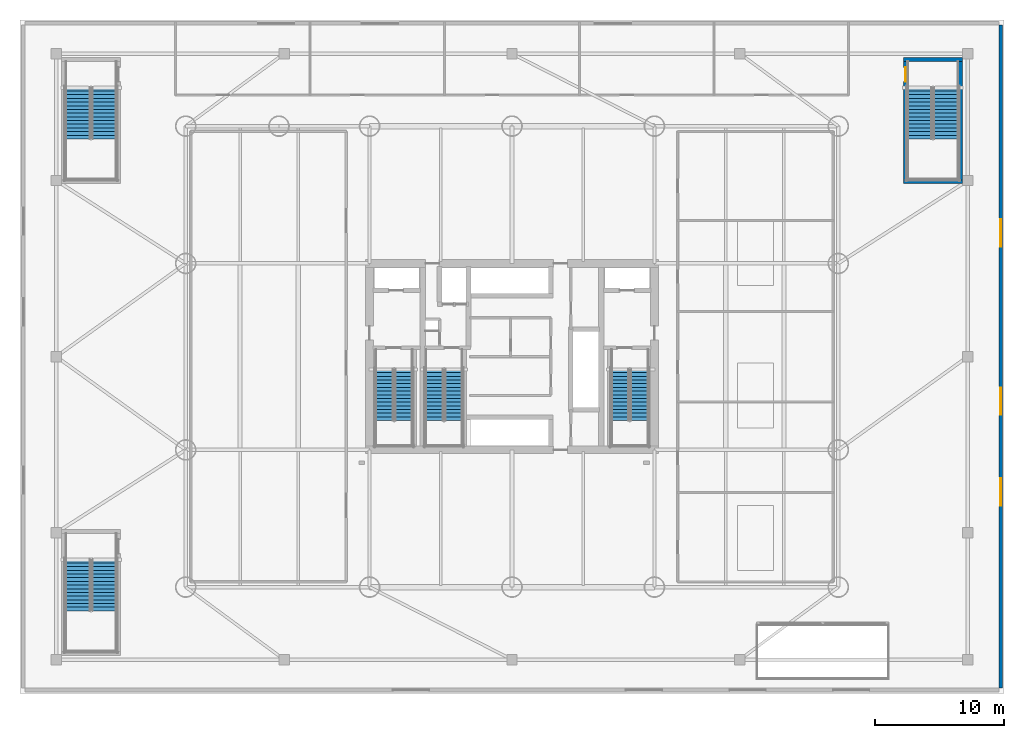
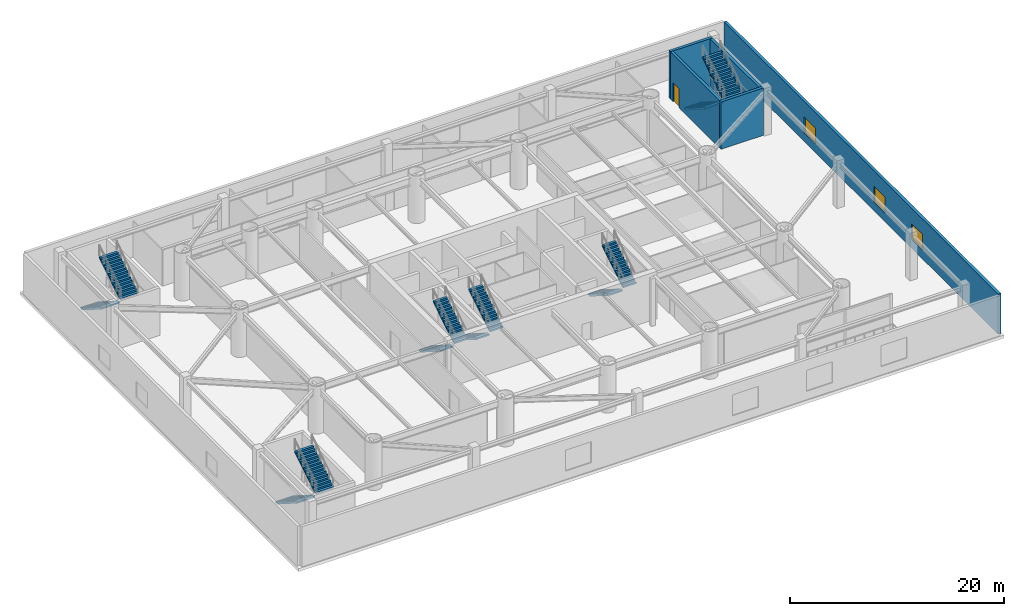
# One storey, part 9 of 16: 12 stair flights, 5 walls, 3 windows, 1 door, 4 openings, 6 elements without a shape of their own.
"""IFC4 building model written with IfcOpenShell, lengths in metres."""

from ifc_helpers import new_model, si_unit, direction, frame, frame_2d, origin, place, context, subcontext, project, spatial, polyline, rectangle, outline, extrude, material, layer, layer_set, type_object, element, fill, aggregate, save


model = new_model("IFC4")

# Units and contexts
model_context = context("Model", 3, precision=1e-05, world=origin(), true_north=direction((0.0, 1.0)))
body_context = subcontext(model_context, "Body", "Model", "MODEL_VIEW")
ifc_project = project(units=[si_unit("LENGTHUNIT", "METRE"), si_unit("AREAUNIT", "SQUARE_METRE"), si_unit("VOLUMEUNIT", "CUBIC_METRE"), si_unit("PLANEANGLEUNIT", "RADIAN"), si_unit("MASSUNIT", "GRAM", prefix="KILO")], contexts=[model_context])

# Site, building, storey
site_placement = place(None, origin())
site = spatial("IfcSite", under=ifc_project, at=site_placement, CompositionType="ELEMENT")
building_placement = place(site_placement, origin())
building = spatial("IfcBuilding", under=site, at=building_placement, Name="Bramvorn Convention Spire", CompositionType="ELEMENT")
storey_placement = place(building_placement, frame((0.0, 0.0, 18.60009765625)))
storey = spatial("IfcBuildingStorey", under=building, at=storey_placement, Name="L03", CompositionType="ELEMENT", Elevation=18.60009765625)

# Wall, openings, windows
ifc_material_1 = material(Name="Precast Concrete C40/50 with Bronze Terracotta Rainscreen", Category="masonry")
ifc_layer_1 = layer(ifc_material_1, 0.300048828125)
ifc_layer_set_1 = layer_set([ifc_layer_1], Name="Precast Concrete C40/50 with Bronze Terracotta Rainscreen - WL-EXT-BRONZE-300")
wall_type_1 = type_object("IfcWallType", Name="WL-EXT-BRONZE-300", PredefinedType="SOLIDWALL", material=ifc_layer_set_1)
wall_1_placement = place(storey_placement, frame((75.75, 51.60009765625, 0.0), z_axis=(0.0, 0.0, 1.0), x_axis=(0.0, -1.0, 0.0)))
wall_1 = element("IfcWall", 1, at=wall_1_placement, inside=storey, type_object=wall_type_1, Name="L03 East podium bronze facade wall", PredefinedType="SOLIDWALL", context=body_context, shape_type="SweptSolid", body=[
    extrude(rectangle(XDim=51.2001953125, YDim=0.300048828125, at=frame_2d((25.60009765625, 0.0))), origin(), (0.0, 0.0, 1.0), 4.559814453125),
])
opening_1_placement = place(wall_1_placement, frame((15.0, 0.0, 1.0)))
opening_1 = element("IfcOpeningElement", 2, at=opening_1_placement, cuts=wall_1, Name="Opening WN04", PredefinedType="OPENING", context=body_context, shape_type="SweptSolid", body=[
    extrude(rectangle(XDim=2.10009765625, YDim=1.800048828125, at=frame_2d((1.050048828125, 0.89990234375))), frame((0.0, 0.159912109375, 0.0), z_axis=(0.0, -1.0, 0.0), x_axis=(1.0, 0.0, 0.0)), (0.0, 0.0, 1.0), 0.320068359375),
])
opening_2_placement = place(wall_1_placement, frame((28.0, 0.0, 1.0)))
opening_2 = element("IfcOpeningElement", 3, at=opening_2_placement, cuts=wall_1, Name="Opening WN04", PredefinedType="OPENING", context=body_context, shape_type="SweptSolid", body=[
    extrude(rectangle(XDim=2.10009765625, YDim=1.800048828125, at=frame_2d((1.050048828125, 0.89990234375))), frame((0.0, 0.159912109375, 0.0), z_axis=(0.0, -1.0, 0.0), x_axis=(1.0, 0.0, 0.0)), (0.0, 0.0, 1.0), 0.320068359375),
])
opening_3_placement = place(wall_1_placement, frame((35.0, 0.0, 1.0)))
opening_3 = element("IfcOpeningElement", 4, at=opening_3_placement, cuts=wall_1, Name="Opening WN04", PredefinedType="OPENING", context=body_context, shape_type="SweptSolid", body=[
    extrude(rectangle(XDim=2.10009765625, YDim=1.800048828125, at=frame_2d((1.050048828125, 0.89990234375))), frame((0.0, 0.159912109375, 0.0), z_axis=(0.0, -1.0, 0.0), x_axis=(1.0, 0.0, 0.0)), (0.0, 0.0, 1.0), 0.320068359375),
])
ifc_material_2 = material(Name="Thermally Broken Bronze Aluminium & Triple Low-E Glass", Category="aluminium")
window_type = type_object("IfcWindowType", Name="WN-OP-2100X1800", PartitioningType="SINGLE_PANEL", PredefinedType="WINDOW", material=ifc_material_2)
window_1_placement = place(opening_1_placement, origin())
window_1 = element("IfcWindow", 5, at=window_1_placement, inside=storey, type_object=window_type, Name="L03 East operable window 1", OverallHeight=1.800048828125, OverallWidth=2.10009765625, PartitioningType="SINGLE_PANEL", PredefinedType="WINDOW", context=body_context, shape_type="SweptSolid", body=[
    extrude(rectangle(XDim=2.10009765625, YDim=1.800048828125, at=frame_2d((1.050048828125, 0.89990234375))), frame((0.0, 0.030029296875, 0.0), z_axis=(0.0, -1.0, 0.0), x_axis=(1.0, 0.0, 0.0)), (0.0, 0.0, 1.0), 0.06005859375),
])
fill(opening_1, window_1)
window_2_placement = place(opening_2_placement, origin())
window_2 = element("IfcWindow", 6, at=window_2_placement, inside=storey, type_object=window_type, Name="L03 East operable window 2", OverallHeight=1.800048828125, OverallWidth=2.10009765625, PartitioningType="SINGLE_PANEL", PredefinedType="WINDOW", context=body_context, shape_type="SweptSolid", body=[
    extrude(rectangle(XDim=2.10009765625, YDim=1.800048828125, at=frame_2d((1.050048828125, 0.89990234375))), frame((0.0, 0.030029296875, 0.0), z_axis=(0.0, -1.0, 0.0), x_axis=(1.0, 0.0, 0.0)), (0.0, 0.0, 1.0), 0.06005859375),
])
fill(opening_2, window_2)
window_3_placement = place(opening_3_placement, origin())
window_3 = element("IfcWindow", 7, at=window_3_placement, inside=storey, type_object=window_type, Name="L03 East operable window 3", OverallHeight=1.800048828125, OverallWidth=2.10009765625, PartitioningType="SINGLE_PANEL", PredefinedType="WINDOW", context=body_context, shape_type="SweptSolid", body=[
    extrude(rectangle(XDim=2.10009765625, YDim=1.800048828125, at=frame_2d((1.050048828125, 0.89990234375))), frame((0.0, 0.030029296875, 0.0), z_axis=(0.0, -1.0, 0.0), x_axis=(1.0, 0.0, 0.0)), (0.0, 0.0, 1.0), 0.06005859375),
])
fill(opening_3, window_3)

# Walls
ifc_material_3 = material(Name="Concrete C50/60", Category="concrete")
ifc_layer_2 = layer(ifc_material_3, 0.300048828125)
ifc_layer_set_2 = layer_set([ifc_layer_2], Name="Concrete C50/60 - WL-POD-STAIR-300")
wall_type_2 = type_object("IfcWallType", Name="WL-POD-STAIR-300", PredefinedType="SHEAR", material=ifc_layer_set_2)
for number, where, z_axis, x_axis, name in (
    (8, (68.22998046875, 39.510009765625, 0.0), (0.0, 0.0, 1.0), (1.0, 0.0, 0.0), "L03 ST5 south shaft wall"),
    (9, (68.22998046875, 48.93994140625, 0.0), (0.0, 0.0, 1.0), (1.0, 0.0, 0.0), "L03 ST5 north shaft wall"),
):
    element("IfcWall", number, at=place(storey_placement, frame(where, z_axis=z_axis, x_axis=x_axis)), inside=storey, type_object=wall_type_2, Name=name, PredefinedType="SHEAR", context=body_context, shape_type="SweptSolid", body=[
        extrude(rectangle(XDim=4.56005859375, YDim=0.300048828125, at=frame_2d((2.280029296875, 0.0))), origin(), (0.0, 0.0, 1.0), 5.39990234375),
    ])

# Wall, opening, door
wall_2_placement = place(storey_placement, frame((68.3798828125, 39.659912109375, 0.0), z_axis=(0.0, 0.0, 1.0), x_axis=(0.0, 1.0, 0.0)))
wall_2 = element("IfcWall", 10, at=wall_2_placement, inside=storey, type_object=wall_type_2, Name="L03 ST5 west shaft wall", PredefinedType="SHEAR", context=body_context, shape_type="SweptSolid", body=[
    extrude(rectangle(XDim=9.130126953125, YDim=0.300048828125, at=frame_2d((4.56494140625, 0.0))), origin(), (0.0, 0.0, 1.0), 5.39990234375),
])
opening_4_placement = place(wall_2_placement, frame((7.580078125, 0.0, 0.0)))
opening_4 = element("IfcOpeningElement", 11, at=opening_4_placement, cuts=wall_2, Name="Opening DS-110", PredefinedType="OPENING", context=body_context, shape_type="SweptSolid", body=[
    extrude(rectangle(XDim=1.10009765625, YDim=2.14990234375, at=frame_2d((0.550048828125, 1.074951171875))), frame((0.0, 0.159912109375, 0.0), z_axis=(0.0, -1.0, 0.0), x_axis=(1.0, 0.0, 0.0)), (0.0, 0.0, 1.0), 0.320068359375),
])
ifc_material_4 = material(Name="Fire-Rated Hollow Steel Stairwell Door", Category="steel")
door_type = type_object("IfcDoorType", Name="DR-STAIR-1100", OperationType="NOTDEFINED", PredefinedType="DOOR", material=ifc_material_4)
door_placement = place(opening_4_placement, origin())
door = element("IfcDoor", 12, at=door_placement, inside=storey, type_object=door_type, Name="L03 ST5 exit stairwell door", OperationType="SINGLE_SWING_LEFT", OverallHeight=2.14990234375, OverallWidth=1.10009765625, PredefinedType="DOOR", context=body_context, shape_type="SweptSolid", body=[
    extrude(rectangle(XDim=1.10009765625, YDim=2.14990234375, at=frame_2d((0.550048828125, 1.074951171875))), frame((0.0, 0.02490234375, 0.0), z_axis=(0.0, -1.0, 0.0), x_axis=(1.0, 0.0, 0.0)), (0.0, 0.0, 1.0), 0.050048828125),
])
fill(opening_4, door)

# Wall
wall_3_placement = place(storey_placement, frame((72.639892578125, 48.7900390625, 0.0), z_axis=(0.0, 0.0, 1.0), x_axis=(0.0, -1.0, 0.0)))
element("IfcWall", 13, at=wall_3_placement, inside=storey, type_object=wall_type_2, Name="L03 ST5 east shaft wall", PredefinedType="SHEAR", context=body_context, shape_type="SweptSolid", body=[
    extrude(rectangle(XDim=9.130126953125, YDim=0.300048828125, at=frame_2d((4.56494140625, 0.0))), origin(), (0.0, 0.0, 1.0), 5.39990234375),
])

# Stair, stair flights
ifc_material_5 = material(Name="Concrete C40/50 Grand Exit Stair", Category="concrete")
stair_type_1 = type_object("IfcStairType", Name="ST-PODIUM-1950", PredefinedType="HALF_TURN_STAIR", material=ifc_material_5)
stair_1_placement = place(storey_placement, origin())
stair_1 = element("IfcStair", 14, at=stair_1_placement, inside=storey, type_object=stair_type_1, Name="L03 Protected Exit Stair ST4", PredefinedType="HALF_TURN_STAIR")
ifc_material_6 = material(Name="Concrete C40/50 Precast Stair Flight", Category="concrete")
stair_flight_type_1 = type_object("IfcStairFlightType", Name="STF-PODIUM-1950", PredefinedType="STRAIGHT", material=ifc_material_6)
stair_flight_1_placement = place(storey_placement, frame((4.47509765625, 10.35009765625, 0.0), z_axis=(0.0, 0.0, 1.0), x_axis=(0.0, -1.0, 0.0)))
stair_flight_1 = element("IfcStairFlight", 15, at=stair_flight_1_placement, type_object=stair_flight_type_1, Name="ST4 flight 1", NumberOfRisers=15, NumberOfTreads=14, PredefinedType="STRAIGHT", RiserHeight=0.18, TreadLength=0.285, context=body_context, shape_type="SweptSolid", body=[
    extrude(outline(polyline([(0.0, 0.0), (0.0, 0.179931640625), (0.284912109375, 0.179931640625), (0.284912109375, 0.360107421875), (0.570068359375, 0.360107421875), (0.570068359375, 0.5400390625), (0.85498046875, 0.5400390625), (0.85498046875, 0.719970703125), (1.139892578125, 0.719970703125), (1.139892578125, 0.89990234375), (1.425048828125, 0.89990234375), (1.425048828125, 1.080078125), (1.7099609375, 1.080078125), (1.7099609375, 1.260009765625), (1.9951171875, 1.260009765625), (1.9951171875, 1.43994140625), (2.280029296875, 1.43994140625), (2.280029296875, 1.6201171875), (2.56494140625, 1.6201171875), (2.56494140625, 1.800048828125), (2.85009765625, 1.800048828125), (2.85009765625, 1.97998046875), (3.135009765625, 1.97998046875), (3.135009765625, 2.159912109375), (3.419921875, 2.159912109375), (3.419921875, 2.340087890625), (3.705078125, 2.340087890625), (3.705078125, 2.52001953125), (3.989990234375, 2.52001953125), (3.989990234375, 2.699951171875), (3.989990234375, 2.3427734375), (0.28076171875, 0.0), (0.0, 0.0)])), frame((0.0, 0.97509765625, 0.0), z_axis=(0.0, -1.0, 0.0), x_axis=(1.0, 0.0, 0.0)), (0.0, 0.0, 1.0), 1.949951171875),
])
stair_flight_2_placement = place(storey_placement, frame((6.5048828125, 6.360107421875, 2.699951171875), z_axis=(0.0, 0.0, 1.0), x_axis=(0.0, 1.0, 0.0)))
stair_flight_2 = element("IfcStairFlight", 16, at=stair_flight_2_placement, type_object=stair_flight_type_1, Name="ST4 flight 2", NumberOfRisers=15, NumberOfTreads=14, PredefinedType="STRAIGHT", RiserHeight=0.18, TreadLength=0.285, context=body_context, shape_type="SweptSolid", body=[
    extrude(outline(polyline([(0.0, 0.0), (0.0, 0.179931640625), (0.284912109375, 0.179931640625), (0.284912109375, 0.360107421875), (0.570068359375, 0.360107421875), (0.570068359375, 0.5400390625), (0.85498046875, 0.5400390625), (0.85498046875, 0.719970703125), (1.139892578125, 0.719970703125), (1.139892578125, 0.89990234375), (1.425048828125, 0.89990234375), (1.425048828125, 1.080078125), (1.7099609375, 1.080078125), (1.7099609375, 1.260009765625), (1.9951171875, 1.260009765625), (1.9951171875, 1.43994140625), (2.280029296875, 1.43994140625), (2.280029296875, 1.6201171875), (2.56494140625, 1.6201171875), (2.56494140625, 1.800048828125), (2.85009765625, 1.800048828125), (2.85009765625, 1.97998046875), (3.135009765625, 1.97998046875), (3.135009765625, 2.159912109375), (3.419921875, 2.159912109375), (3.419921875, 2.340087890625), (3.705078125, 2.340087890625), (3.705078125, 2.52001953125), (3.989990234375, 2.52001953125), (3.989990234375, 2.699951171875), (3.989990234375, 2.3427734375), (0.28076171875, 0.0), (0.0, 0.0)])), frame((0.0, 0.97509765625, 0.0), z_axis=(0.0, -1.0, 0.0), x_axis=(1.0, 0.0, 0.0)), (0.0, 0.0, 1.0), 1.949951171875),
])
aggregate(stair_1, [stair_flight_1, stair_flight_2])

stair_2_placement = place(storey_placement, origin())
stair_2 = element("IfcStair", 17, at=stair_2_placement, inside=storey, type_object=stair_type_1, Name="L03 Protected Exit Stair ST5", PredefinedType="HALF_TURN_STAIR")
stair_flight_3_placement = place(storey_placement, frame((69.4951171875, 46.800048828125, 0.0), z_axis=(0.0, 0.0, 1.0), x_axis=(0.0, -1.0, 0.0)))
stair_flight_3 = element("IfcStairFlight", 18, at=stair_flight_3_placement, type_object=stair_flight_type_1, Name="ST5 flight 1", NumberOfRisers=15, NumberOfTreads=14, PredefinedType="STRAIGHT", RiserHeight=0.18, TreadLength=0.285, context=body_context, shape_type="SweptSolid", body=[
    extrude(outline(polyline([(0.0, 0.0), (0.0, 0.179931640625), (0.284912109375, 0.179931640625), (0.284912109375, 0.360107421875), (0.570068359375, 0.360107421875), (0.570068359375, 0.5400390625), (0.85498046875, 0.5400390625), (0.85498046875, 0.719970703125), (1.139892578125, 0.719970703125), (1.139892578125, 0.89990234375), (1.425048828125, 0.89990234375), (1.425048828125, 1.080078125), (1.7099609375, 1.080078125), (1.7099609375, 1.260009765625), (1.9951171875, 1.260009765625), (1.9951171875, 1.43994140625), (2.280029296875, 1.43994140625), (2.280029296875, 1.6201171875), (2.56494140625, 1.6201171875), (2.56494140625, 1.800048828125), (2.85009765625, 1.800048828125), (2.85009765625, 1.97998046875), (3.135009765625, 1.97998046875), (3.135009765625, 2.159912109375), (3.419921875, 2.159912109375), (3.419921875, 2.340087890625), (3.705078125, 2.340087890625), (3.705078125, 2.52001953125), (3.989990234375, 2.52001953125), (3.989990234375, 2.699951171875), (3.989990234375, 2.3427734375), (0.28076171875, 0.0), (0.0, 0.0)])), frame((0.0, 0.97509765625, 0.0), z_axis=(0.0, -1.0, 0.0), x_axis=(1.0, 0.0, 0.0)), (0.0, 0.0, 1.0), 1.949951171875),
])
stair_flight_4_placement = place(storey_placement, frame((71.52490234375, 42.81005859375, 2.699951171875), z_axis=(0.0, 0.0, 1.0), x_axis=(0.0, 1.0, 0.0)))
stair_flight_4 = element("IfcStairFlight", 19, at=stair_flight_4_placement, type_object=stair_flight_type_1, Name="ST5 flight 2", NumberOfRisers=15, NumberOfTreads=14, PredefinedType="STRAIGHT", RiserHeight=0.18, TreadLength=0.285, context=body_context, shape_type="SweptSolid", body=[
    extrude(outline(polyline([(0.0, 0.0), (0.0, 0.179931640625), (0.284912109375, 0.179931640625), (0.284912109375, 0.360107421875), (0.570068359375, 0.360107421875), (0.570068359375, 0.5400390625), (0.85498046875, 0.5400390625), (0.85498046875, 0.719970703125), (1.139892578125, 0.719970703125), (1.139892578125, 0.89990234375), (1.425048828125, 0.89990234375), (1.425048828125, 1.080078125), (1.7099609375, 1.080078125), (1.7099609375, 1.260009765625), (1.9951171875, 1.260009765625), (1.9951171875, 1.43994140625), (2.280029296875, 1.43994140625), (2.280029296875, 1.6201171875), (2.56494140625, 1.6201171875), (2.56494140625, 1.800048828125), (2.85009765625, 1.800048828125), (2.85009765625, 1.97998046875), (3.135009765625, 1.97998046875), (3.135009765625, 2.159912109375), (3.419921875, 2.159912109375), (3.419921875, 2.340087890625), (3.705078125, 2.340087890625), (3.705078125, 2.52001953125), (3.989990234375, 2.52001953125), (3.989990234375, 2.699951171875), (3.989990234375, 2.3427734375), (0.28076171875, 0.0), (0.0, 0.0)])), frame((0.0, 0.97509765625, 0.0), z_axis=(0.0, -1.0, 0.0), x_axis=(1.0, 0.0, 0.0)), (0.0, 0.0, 1.0), 1.949951171875),
])
aggregate(stair_2, [stair_flight_3, stair_flight_4])

stair_3_placement = place(storey_placement, origin())
stair_3 = element("IfcStair", 20, at=stair_3_placement, inside=storey, type_object=stair_type_1, Name="L03 Protected Exit Stair ST6", PredefinedType="HALF_TURN_STAIR")
stair_flight_5_placement = place(storey_placement, frame((4.47509765625, 46.800048828125, 0.0), z_axis=(0.0, 0.0, 1.0), x_axis=(0.0, -1.0, 0.0)))
stair_flight_5 = element("IfcStairFlight", 21, at=stair_flight_5_placement, type_object=stair_flight_type_1, Name="ST6 flight 1", NumberOfRisers=15, NumberOfTreads=14, PredefinedType="STRAIGHT", RiserHeight=0.18, TreadLength=0.285, context=body_context, shape_type="SweptSolid", body=[
    extrude(outline(polyline([(0.0, 0.0), (0.0, 0.179931640625), (0.284912109375, 0.179931640625), (0.284912109375, 0.360107421875), (0.570068359375, 0.360107421875), (0.570068359375, 0.5400390625), (0.85498046875, 0.5400390625), (0.85498046875, 0.719970703125), (1.139892578125, 0.719970703125), (1.139892578125, 0.89990234375), (1.425048828125, 0.89990234375), (1.425048828125, 1.080078125), (1.7099609375, 1.080078125), (1.7099609375, 1.260009765625), (1.9951171875, 1.260009765625), (1.9951171875, 1.43994140625), (2.280029296875, 1.43994140625), (2.280029296875, 1.6201171875), (2.56494140625, 1.6201171875), (2.56494140625, 1.800048828125), (2.85009765625, 1.800048828125), (2.85009765625, 1.97998046875), (3.135009765625, 1.97998046875), (3.135009765625, 2.159912109375), (3.419921875, 2.159912109375), (3.419921875, 2.340087890625), (3.705078125, 2.340087890625), (3.705078125, 2.52001953125), (3.989990234375, 2.52001953125), (3.989990234375, 2.699951171875), (3.989990234375, 2.3427734375), (0.28076171875, 0.0), (0.0, 0.0)])), frame((0.0, 0.97509765625, 0.0), z_axis=(0.0, -1.0, 0.0), x_axis=(1.0, 0.0, 0.0)), (0.0, 0.0, 1.0), 1.949951171875),
])
stair_flight_6_placement = place(storey_placement, frame((6.5048828125, 42.81005859375, 2.699951171875), z_axis=(0.0, 0.0, 1.0), x_axis=(0.0, 1.0, 0.0)))
stair_flight_6 = element("IfcStairFlight", 22, at=stair_flight_6_placement, type_object=stair_flight_type_1, Name="ST6 flight 2", NumberOfRisers=15, NumberOfTreads=14, PredefinedType="STRAIGHT", RiserHeight=0.18, TreadLength=0.285, context=body_context, shape_type="SweptSolid", body=[
    extrude(outline(polyline([(0.0, 0.0), (0.0, 0.179931640625), (0.284912109375, 0.179931640625), (0.284912109375, 0.360107421875), (0.570068359375, 0.360107421875), (0.570068359375, 0.5400390625), (0.85498046875, 0.5400390625), (0.85498046875, 0.719970703125), (1.139892578125, 0.719970703125), (1.139892578125, 0.89990234375), (1.425048828125, 0.89990234375), (1.425048828125, 1.080078125), (1.7099609375, 1.080078125), (1.7099609375, 1.260009765625), (1.9951171875, 1.260009765625), (1.9951171875, 1.43994140625), (2.280029296875, 1.43994140625), (2.280029296875, 1.6201171875), (2.56494140625, 1.6201171875), (2.56494140625, 1.800048828125), (2.85009765625, 1.800048828125), (2.85009765625, 1.97998046875), (3.135009765625, 1.97998046875), (3.135009765625, 2.159912109375), (3.419921875, 2.159912109375), (3.419921875, 2.340087890625), (3.705078125, 2.340087890625), (3.705078125, 2.52001953125), (3.989990234375, 2.52001953125), (3.989990234375, 2.699951171875), (3.989990234375, 2.3427734375), (0.28076171875, 0.0), (0.0, 0.0)])), frame((0.0, 0.97509765625, 0.0), z_axis=(0.0, -1.0, 0.0), x_axis=(1.0, 0.0, 0.0)), (0.0, 0.0, 1.0), 1.949951171875),
])
aggregate(stair_3, [stair_flight_5, stair_flight_6])

ifc_material_7 = material(Name="Concrete C40/50 Precast Stair", Category="concrete")
stair_type_2 = type_object("IfcStairType", Name="ST-TOWER-1550", PredefinedType="HALF_TURN_STAIR", material=ifc_material_7)
stair_4_placement = place(storey_placement, origin())
stair_4 = element("IfcStair", 23, at=stair_4_placement, inside=storey, type_object=stair_type_2, Name="L03 Protected Exit Stair ST1", PredefinedType="HALF_TURN_STAIR")
stair_flight_type_2 = type_object("IfcStairFlightType", Name="STF-TOWER-1550", PredefinedType="STRAIGHT", material=ifc_material_6)
stair_flight_7_placement = place(storey_placement, frame((28.155029296875, 25.050048828125, 0.0), z_axis=(0.0, 0.0, 1.0), x_axis=(0.0, -1.0, 0.0)))
stair_flight_7 = element("IfcStairFlight", 24, at=stair_flight_7_placement, type_object=stair_flight_type_2, Name="ST1 flight 1", NumberOfRisers=15, NumberOfTreads=14, PredefinedType="STRAIGHT", RiserHeight=0.18, TreadLength=0.285, context=body_context, shape_type="SweptSolid", body=[
    extrude(outline(polyline([(0.0, 0.0), (0.0, 0.179931640625), (0.284912109375, 0.179931640625), (0.284912109375, 0.360107421875), (0.570068359375, 0.360107421875), (0.570068359375, 0.5400390625), (0.85498046875, 0.5400390625), (0.85498046875, 0.719970703125), (1.139892578125, 0.719970703125), (1.139892578125, 0.89990234375), (1.425048828125, 0.89990234375), (1.425048828125, 1.080078125), (1.7099609375, 1.080078125), (1.7099609375, 1.260009765625), (1.9951171875, 1.260009765625), (1.9951171875, 1.43994140625), (2.280029296875, 1.43994140625), (2.280029296875, 1.6201171875), (2.56494140625, 1.6201171875), (2.56494140625, 1.800048828125), (2.85009765625, 1.800048828125), (2.85009765625, 1.97998046875), (3.135009765625, 1.97998046875), (3.135009765625, 2.159912109375), (3.419921875, 2.159912109375), (3.419921875, 2.340087890625), (3.705078125, 2.340087890625), (3.705078125, 2.52001953125), (3.989990234375, 2.52001953125), (3.989990234375, 2.699951171875), (3.989990234375, 2.3427734375), (0.28076171875, 0.0), (0.0, 0.0)])), frame((0.0, 0.705078125, 0.0), z_axis=(0.0, -1.0, 0.0), x_axis=(1.0, 0.0, 0.0)), (0.0, 0.0, 1.0), 1.409912109375),
])
stair_flight_8_placement = place(storey_placement, frame((29.64501953125, 21.06005859375, 2.699951171875), z_axis=(0.0, 0.0, 1.0), x_axis=(0.0, 1.0, 0.0)))
stair_flight_8 = element("IfcStairFlight", 25, at=stair_flight_8_placement, type_object=stair_flight_type_2, Name="ST1 flight 2", NumberOfRisers=15, NumberOfTreads=14, PredefinedType="STRAIGHT", RiserHeight=0.18, TreadLength=0.285, context=body_context, shape_type="SweptSolid", body=[
    extrude(outline(polyline([(0.0, 0.0), (0.0, 0.179931640625), (0.284912109375, 0.179931640625), (0.284912109375, 0.360107421875), (0.570068359375, 0.360107421875), (0.570068359375, 0.5400390625), (0.85498046875, 0.5400390625), (0.85498046875, 0.719970703125), (1.139892578125, 0.719970703125), (1.139892578125, 0.89990234375), (1.425048828125, 0.89990234375), (1.425048828125, 1.080078125), (1.7099609375, 1.080078125), (1.7099609375, 1.260009765625), (1.9951171875, 1.260009765625), (1.9951171875, 1.43994140625), (2.280029296875, 1.43994140625), (2.280029296875, 1.6201171875), (2.56494140625, 1.6201171875), (2.56494140625, 1.800048828125), (2.85009765625, 1.800048828125), (2.85009765625, 1.97998046875), (3.135009765625, 1.97998046875), (3.135009765625, 2.159912109375), (3.419921875, 2.159912109375), (3.419921875, 2.340087890625), (3.705078125, 2.340087890625), (3.705078125, 2.52001953125), (3.989990234375, 2.52001953125), (3.989990234375, 2.699951171875), (3.989990234375, 2.3427734375), (0.28076171875, 0.0), (0.0, 0.0)])), frame((0.0, 0.705078125, 0.0), z_axis=(0.0, -1.0, 0.0), x_axis=(1.0, 0.0, 0.0)), (0.0, 0.0, 1.0), 1.409912109375),
])
aggregate(stair_4, [stair_flight_7, stair_flight_8])

stair_5_placement = place(storey_placement, origin())
stair_5 = element("IfcStair", 26, at=stair_5_placement, inside=storey, type_object=stair_type_2, Name="L03 Protected Exit Stair ST2", PredefinedType="HALF_TURN_STAIR")
stair_flight_9_placement = place(storey_placement, frame((46.35498046875, 25.050048828125, 0.0), z_axis=(0.0, 0.0, 1.0), x_axis=(0.0, -1.0, 0.0)))
stair_flight_9 = element("IfcStairFlight", 27, at=stair_flight_9_placement, type_object=stair_flight_type_2, Name="ST2 flight 1", NumberOfRisers=15, NumberOfTreads=14, PredefinedType="STRAIGHT", RiserHeight=0.18, TreadLength=0.285, context=body_context, shape_type="SweptSolid", body=[
    extrude(outline(polyline([(0.0, 0.0), (0.0, 0.179931640625), (0.284912109375, 0.179931640625), (0.284912109375, 0.360107421875), (0.570068359375, 0.360107421875), (0.570068359375, 0.5400390625), (0.85498046875, 0.5400390625), (0.85498046875, 0.719970703125), (1.139892578125, 0.719970703125), (1.139892578125, 0.89990234375), (1.425048828125, 0.89990234375), (1.425048828125, 1.080078125), (1.7099609375, 1.080078125), (1.7099609375, 1.260009765625), (1.9951171875, 1.260009765625), (1.9951171875, 1.43994140625), (2.280029296875, 1.43994140625), (2.280029296875, 1.6201171875), (2.56494140625, 1.6201171875), (2.56494140625, 1.800048828125), (2.85009765625, 1.800048828125), (2.85009765625, 1.97998046875), (3.135009765625, 1.97998046875), (3.135009765625, 2.159912109375), (3.419921875, 2.159912109375), (3.419921875, 2.340087890625), (3.705078125, 2.340087890625), (3.705078125, 2.52001953125), (3.989990234375, 2.52001953125), (3.989990234375, 2.699951171875), (3.989990234375, 2.3427734375), (0.28076171875, 0.0), (0.0, 0.0)])), frame((0.0, 0.705078125, 0.0), z_axis=(0.0, -1.0, 0.0), x_axis=(1.0, 0.0, 0.0)), (0.0, 0.0, 1.0), 1.409912109375),
])
stair_flight_10_placement = place(storey_placement, frame((47.844970703125, 21.06005859375, 2.699951171875), z_axis=(0.0, 0.0, 1.0), x_axis=(0.0, 1.0, 0.0)))
stair_flight_10 = element("IfcStairFlight", 28, at=stair_flight_10_placement, type_object=stair_flight_type_2, Name="ST2 flight 2", NumberOfRisers=15, NumberOfTreads=14, PredefinedType="STRAIGHT", RiserHeight=0.18, TreadLength=0.285, context=body_context, shape_type="SweptSolid", body=[
    extrude(outline(polyline([(0.0, 0.0), (0.0, 0.179931640625), (0.284912109375, 0.179931640625), (0.284912109375, 0.360107421875), (0.570068359375, 0.360107421875), (0.570068359375, 0.5400390625), (0.85498046875, 0.5400390625), (0.85498046875, 0.719970703125), (1.139892578125, 0.719970703125), (1.139892578125, 0.89990234375), (1.425048828125, 0.89990234375), (1.425048828125, 1.080078125), (1.7099609375, 1.080078125), (1.7099609375, 1.260009765625), (1.9951171875, 1.260009765625), (1.9951171875, 1.43994140625), (2.280029296875, 1.43994140625), (2.280029296875, 1.6201171875), (2.56494140625, 1.6201171875), (2.56494140625, 1.800048828125), (2.85009765625, 1.800048828125), (2.85009765625, 1.97998046875), (3.135009765625, 1.97998046875), (3.135009765625, 2.159912109375), (3.419921875, 2.159912109375), (3.419921875, 2.340087890625), (3.705078125, 2.340087890625), (3.705078125, 2.52001953125), (3.989990234375, 2.52001953125), (3.989990234375, 2.699951171875), (3.989990234375, 2.3427734375), (0.28076171875, 0.0), (0.0, 0.0)])), frame((0.0, 0.705078125, 0.0), z_axis=(0.0, -1.0, 0.0), x_axis=(1.0, 0.0, 0.0)), (0.0, 0.0, 1.0), 1.409912109375),
])
aggregate(stair_5, [stair_flight_9, stair_flight_10])

stair_6_placement = place(storey_placement, origin())
stair_6 = element("IfcStair", 29, at=stair_6_placement, inside=storey, type_object=stair_type_2, Name="L03 Protected Exit Stair ST3", PredefinedType="HALF_TURN_STAIR")
stair_flight_11_placement = place(storey_placement, frame((32.0048828125, 25.050048828125, 0.0), z_axis=(0.0, 0.0, 1.0), x_axis=(0.0, -1.0, 0.0)))
stair_flight_11 = element("IfcStairFlight", 30, at=stair_flight_11_placement, type_object=stair_flight_type_2, Name="ST3 flight 1", NumberOfRisers=15, NumberOfTreads=14, PredefinedType="STRAIGHT", RiserHeight=0.18, TreadLength=0.285, context=body_context, shape_type="SweptSolid", body=[
    extrude(outline(polyline([(0.0, 0.0), (0.0, 0.179931640625), (0.284912109375, 0.179931640625), (0.284912109375, 0.360107421875), (0.570068359375, 0.360107421875), (0.570068359375, 0.5400390625), (0.85498046875, 0.5400390625), (0.85498046875, 0.719970703125), (1.139892578125, 0.719970703125), (1.139892578125, 0.89990234375), (1.425048828125, 0.89990234375), (1.425048828125, 1.080078125), (1.7099609375, 1.080078125), (1.7099609375, 1.260009765625), (1.9951171875, 1.260009765625), (1.9951171875, 1.43994140625), (2.280029296875, 1.43994140625), (2.280029296875, 1.6201171875), (2.56494140625, 1.6201171875), (2.56494140625, 1.800048828125), (2.85009765625, 1.800048828125), (2.85009765625, 1.97998046875), (3.135009765625, 1.97998046875), (3.135009765625, 2.159912109375), (3.419921875, 2.159912109375), (3.419921875, 2.340087890625), (3.705078125, 2.340087890625), (3.705078125, 2.52001953125), (3.989990234375, 2.52001953125), (3.989990234375, 2.699951171875), (3.989990234375, 2.3427734375), (0.28076171875, 0.0), (0.0, 0.0)])), frame((0.0, 0.705078125, 0.0), z_axis=(0.0, -1.0, 0.0), x_axis=(1.0, 0.0, 0.0)), (0.0, 0.0, 1.0), 1.409912109375),
])
stair_flight_12_placement = place(storey_placement, frame((33.4951171875, 21.06005859375, 2.699951171875), z_axis=(0.0, 0.0, 1.0), x_axis=(0.0, 1.0, 0.0)))
stair_flight_12 = element("IfcStairFlight", 31, at=stair_flight_12_placement, type_object=stair_flight_type_2, Name="ST3 flight 2", NumberOfRisers=15, NumberOfTreads=14, PredefinedType="STRAIGHT", RiserHeight=0.18, TreadLength=0.285, context=body_context, shape_type="SweptSolid", body=[
    extrude(outline(polyline([(0.0, 0.0), (0.0, 0.179931640625), (0.284912109375, 0.179931640625), (0.284912109375, 0.360107421875), (0.570068359375, 0.360107421875), (0.570068359375, 0.5400390625), (0.85498046875, 0.5400390625), (0.85498046875, 0.719970703125), (1.139892578125, 0.719970703125), (1.139892578125, 0.89990234375), (1.425048828125, 0.89990234375), (1.425048828125, 1.080078125), (1.7099609375, 1.080078125), (1.7099609375, 1.260009765625), (1.9951171875, 1.260009765625), (1.9951171875, 1.43994140625), (2.280029296875, 1.43994140625), (2.280029296875, 1.6201171875), (2.56494140625, 1.6201171875), (2.56494140625, 1.800048828125), (2.85009765625, 1.800048828125), (2.85009765625, 1.97998046875), (3.135009765625, 1.97998046875), (3.135009765625, 2.159912109375), (3.419921875, 2.159912109375), (3.419921875, 2.340087890625), (3.705078125, 2.340087890625), (3.705078125, 2.52001953125), (3.989990234375, 2.52001953125), (3.989990234375, 2.699951171875), (3.989990234375, 2.3427734375), (0.28076171875, 0.0), (0.0, 0.0)])), frame((0.0, 0.705078125, 0.0), z_axis=(0.0, -1.0, 0.0), x_axis=(1.0, 0.0, 0.0)), (0.0, 0.0, 1.0), 1.409912109375),
])
aggregate(stair_6, [stair_flight_11, stair_flight_12])

save(model, "model.ifc")
